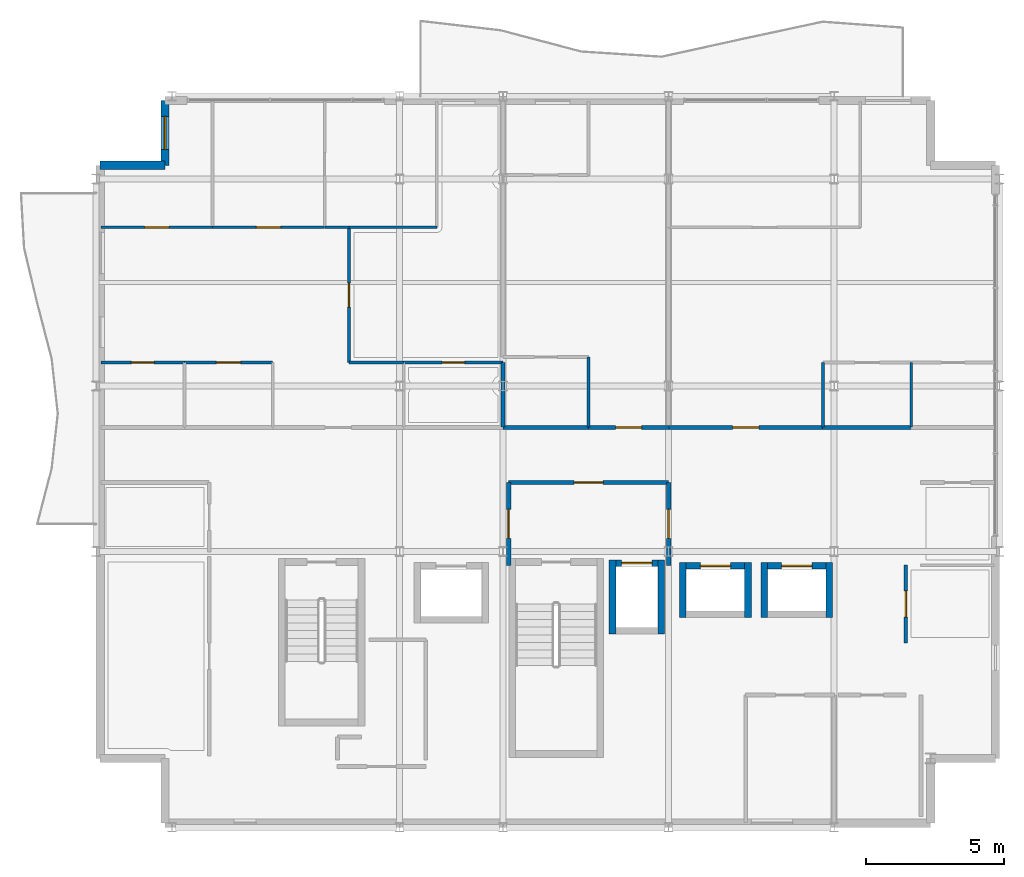
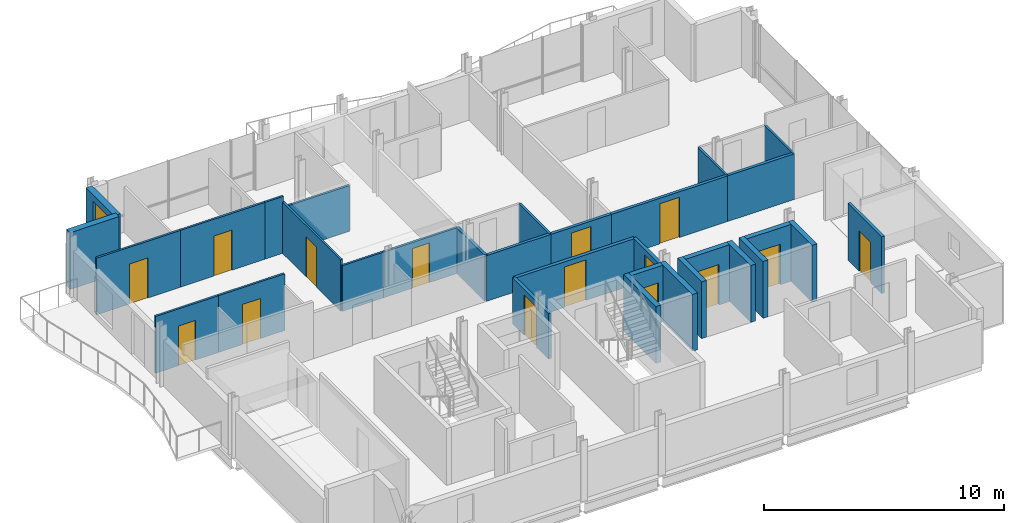
# One storey, part 9 of 12: 32 walls, 15 doors, 1 window, 16 openings.
"""IFC4 building model written with IfcOpenShell, lengths in metres."""

from ifc_helpers import new_model, si_unit, direction, frame, frame_2d, origin, place, context, subcontext, project, spatial, rectangle, extrude, material, layer, layer_set, type_object, element, fill, save


model = new_model("IFC4")

# Units and contexts
model_context = context("Model", 3, precision=1e-05, world=origin(), true_north=direction((0.0, 1.0)))
body_context = subcontext(model_context, "Body", "Model", "MODEL_VIEW")
ifc_project = project(units=[si_unit("LENGTHUNIT", "METRE"), si_unit("AREAUNIT", "SQUARE_METRE"), si_unit("VOLUMEUNIT", "CUBIC_METRE"), si_unit("PLANEANGLEUNIT", "RADIAN"), si_unit("MASSUNIT", "GRAM", prefix="KILO")], contexts=[model_context])

# Site, building, storey
site_placement = place(None, origin())
site = spatial("IfcSite", under=ifc_project, at=site_placement, CompositionType="ELEMENT")
building_placement = place(site_placement, origin())
building = spatial("IfcBuilding", under=site, at=building_placement, Name="Brevholm Reach", CompositionType="ELEMENT")
storey_placement = place(building_placement, frame((0.0, 0.0, 227.300048828125)))
storey = spatial("IfcBuildingStorey", under=building, at=storey_placement, Name="L69", CompositionType="ELEMENT", Elevation=227.300048828125)

# Walls
ifc_material_1 = material(Name="Concrete C45/55", Category="concrete")
ifc_layer_1 = layer(ifc_material_1, 0.239990234375)
ifc_layer_set_1 = layer_set([ifc_layer_1], Name="Concrete C45/55")
wall_type_1 = type_object("IfcWallType", Name="WAL-COR-240", PredefinedType="SHEAR", material=ifc_layer_set_1)
for number, where, z_axis, x_axis, name in (
    (1, (45.969970703125, 7.0, 0.0), (0.0, 0.0, 1.0), (0.0, 1.0, 0.0), "L69 Lift FFL-2 Shaft Wall W"),
    (2, (47.72998046875, 7.0, 0.0), (0.0, 0.0, 1.0), (0.0, 1.0, 0.0), "L69 Lift FFL-2 Shaft Wall E"),
):
    element("IfcWall", number, at=place(storey_placement, frame(where, z_axis=z_axis, x_axis=x_axis)), inside=storey, type_object=wall_type_1, Name=name, PredefinedType="SHEAR", context=body_context, shape_type="SweptSolid", body=[
        extrude(rectangle(XDim=2.699951171875, YDim=0.239990234375, at=frame_2d((1.35009765625, 0.0))), origin(), (0.0, 0.0, 1.0), 2.889892578125),
    ])

# Wall, opening, door
wall_1_placement = place(storey_placement, frame((46.090087890625, 9.580078125, 0.0), z_axis=(0.0, 0.0, 1.0), x_axis=(1.0, 0.0, 0.0)))
wall_1 = element("IfcWall", 3, at=wall_1_placement, inside=storey, type_object=wall_type_1, Name="L69 Lift FFL-2 Shaft Wall N", PredefinedType="SHEAR", context=body_context, shape_type="SweptSolid", body=[
    extrude(rectangle(XDim=1.52001953125, YDim=0.239990234375, at=frame_2d((0.760009765625, 0.0))), origin(), (0.0, 0.0, 1.0), 2.889892578125),
])
opening_1_placement = place(wall_1_placement, frame((0.2099609375, 0.0, 0.0)))
opening_1 = element("IfcOpeningElement", 4, at=opening_1_placement, cuts=wall_1, Name="Opening LD-FFL-2", PredefinedType="OPENING", context=body_context, shape_type="SweptSolid", body=[
    extrude(rectangle(XDim=1.10009765625, YDim=2.06005859375, at=frame_2d((0.550048828125, 1.030029296875))), frame((0.0, 0.1298828125, 0.0), z_axis=(0.0, -1.0, 0.0), x_axis=(1.0, 0.0, 0.0)), (0.0, 0.0, 1.0), 0.260009765625),
])
ifc_material_2 = material(Name="Brushed Stainless Steel Fire-Rated Sliding Lift Door", Category="steel")
door_type_1 = type_object("IfcDoorType", Name="DOR-LFT-1100", OperationType="NOTDEFINED", PredefinedType="DOOR", material=ifc_material_2)
door_1_placement = place(opening_1_placement, origin())
door_1 = element("IfcDoor", 5, at=door_1_placement, inside=storey, type_object=door_type_1, Name="L69 Lift FFL-2 Sliding Landing Door", OperationType="SLIDING_TO_RIGHT", OverallHeight=2.06005859375, OverallWidth=1.10009765625, PredefinedType="DOOR", context=body_context, shape_type="SweptSolid", body=[
    extrude(rectangle(XDim=1.10009765625, YDim=2.06005859375, at=frame_2d((0.550048828125, 1.030029296875))), frame((0.0, 0.02490234375, 0.0), z_axis=(0.0, -1.0, 0.0), x_axis=(1.0, 0.0, 0.0)), (0.0, 0.0, 1.0), 0.050048828125),
])
fill(opening_1, door_1)

# Walls
for number, where, z_axis, x_axis, name in (
    (6, (48.52001953125, 7.60009765625, 0.0), (0.0, 0.0, 1.0), (0.0, 1.0, 0.0), "L69 Lift PL-H1 Shaft Wall W"),
    (7, (50.8798828125, 7.60009765625, 0.0), (0.0, 0.0, 1.0), (0.0, 1.0, 0.0), "L69 Lift PL-H1 Shaft Wall E"),
):
    element("IfcWall", number, at=place(storey_placement, frame(where, z_axis=z_axis, x_axis=x_axis)), inside=storey, type_object=wall_type_1, Name=name, PredefinedType="SHEAR", context=body_context, shape_type="SweptSolid", body=[
        extrude(rectangle(XDim=2.0, YDim=0.239990234375, at=frame_2d((1.0, 0.0))), origin(), (0.0, 0.0, 1.0), 2.889892578125),
    ])

# Wall, opening, door
wall_2_placement = place(storey_placement, frame((48.639892578125, 9.47998046875, 0.0), z_axis=(0.0, 0.0, 1.0), x_axis=(1.0, 0.0, 0.0)))
wall_2 = element("IfcWall", 8, at=wall_2_placement, inside=storey, type_object=wall_type_1, Name="L69 Lift PL-H1 Shaft Wall N", PredefinedType="SHEAR", context=body_context, shape_type="SweptSolid", body=[
    extrude(rectangle(XDim=2.1201171875, YDim=0.239990234375, at=frame_2d((1.06005859375, 0.0))), origin(), (0.0, 0.0, 1.0), 2.889892578125),
])
opening_2_placement = place(wall_2_placement, frame((0.510009765625, 0.0, 0.0)))
opening_2 = element("IfcOpeningElement", 9, at=opening_2_placement, cuts=wall_2, Name="Opening LD-PL-H1", PredefinedType="OPENING", context=body_context, shape_type="SweptSolid", body=[
    extrude(rectangle(XDim=1.10009765625, YDim=2.06005859375, at=frame_2d((0.550048828125, 1.030029296875))), frame((0.0, 0.1298828125, 0.0), z_axis=(0.0, -1.0, 0.0), x_axis=(1.0, 0.0, 0.0)), (0.0, 0.0, 1.0), 0.260009765625),
])
door_2_placement = place(opening_2_placement, origin())
door_2 = element("IfcDoor", 10, at=door_2_placement, inside=storey, type_object=door_type_1, Name="L69 Lift PL-H1 Sliding Landing Door", OperationType="SLIDING_TO_RIGHT", OverallHeight=2.06005859375, OverallWidth=1.10009765625, PredefinedType="DOOR", context=body_context, shape_type="SweptSolid", body=[
    extrude(rectangle(XDim=1.10009765625, YDim=2.06005859375, at=frame_2d((0.550048828125, 1.030029296875))), frame((0.0, 0.02490234375, 0.0), z_axis=(0.0, -1.0, 0.0), x_axis=(1.0, 0.0, 0.0)), (0.0, 0.0, 1.0), 0.050048828125),
])
fill(opening_2, door_2)

# Walls
for number, where, z_axis, x_axis, name in (
    (11, (51.469970703125, 7.60009765625, 0.0), (0.0, 0.0, 1.0), (0.0, 1.0, 0.0), "L69 Lift PL-H2 Shaft Wall W"),
    (12, (53.830078125, 7.60009765625, 0.0), (0.0, 0.0, 1.0), (0.0, 1.0, 0.0), "L69 Lift PL-H2 Shaft Wall E"),
):
    element("IfcWall", number, at=place(storey_placement, frame(where, z_axis=z_axis, x_axis=x_axis)), inside=storey, type_object=wall_type_1, Name=name, PredefinedType="SHEAR", context=body_context, shape_type="SweptSolid", body=[
        extrude(rectangle(XDim=2.0, YDim=0.239990234375, at=frame_2d((1.0, 0.0))), origin(), (0.0, 0.0, 1.0), 2.889892578125),
    ])

# Wall, opening, door
wall_3_placement = place(storey_placement, frame((51.590087890625, 9.47998046875, 0.0), z_axis=(0.0, 0.0, 1.0), x_axis=(1.0, 0.0, 0.0)))
wall_3 = element("IfcWall", 13, at=wall_3_placement, inside=storey, type_object=wall_type_1, Name="L69 Lift PL-H2 Shaft Wall N", PredefinedType="SHEAR", context=body_context, shape_type="SweptSolid", body=[
    extrude(rectangle(XDim=2.119873046875, YDim=0.239990234375, at=frame_2d((1.06005859375, 0.0))), origin(), (0.0, 0.0, 1.0), 2.889892578125),
])
opening_3_placement = place(wall_3_placement, frame((0.510009765625, 0.0, 0.0)))
opening_3 = element("IfcOpeningElement", 14, at=opening_3_placement, cuts=wall_3, Name="Opening LD-PL-H2", PredefinedType="OPENING", context=body_context, shape_type="SweptSolid", body=[
    extrude(rectangle(XDim=1.10009765625, YDim=2.06005859375, at=frame_2d((0.550048828125, 1.030029296875))), frame((0.0, 0.1298828125, 0.0), z_axis=(0.0, -1.0, 0.0), x_axis=(1.0, 0.0, 0.0)), (0.0, 0.0, 1.0), 0.260009765625),
])
door_3_placement = place(opening_3_placement, origin())
door_3 = element("IfcDoor", 15, at=door_3_placement, inside=storey, type_object=door_type_1, Name="L69 Lift PL-H2 Sliding Landing Door", OperationType="SLIDING_TO_LEFT", OverallHeight=2.06005859375, OverallWidth=1.10009765625, PredefinedType="DOOR", context=body_context, shape_type="SweptSolid", body=[
    extrude(rectangle(XDim=1.10009765625, YDim=2.06005859375, at=frame_2d((0.550048828125, 1.030029296875))), frame((0.0, 0.02490234375, 0.0), z_axis=(0.0, -1.0, 0.0), x_axis=(1.0, 0.0, 0.0)), (0.0, 0.0, 1.0), 0.050048828125),
])
fill(opening_3, door_3)

# Wall, opening, window
ifc_material_3 = material(Name="Concrete C40/50", Category="concrete")
ifc_layer_2 = layer(ifc_material_3, 0.300048828125)
ifc_layer_set_2 = layer_set([ifc_layer_2], Name="Concrete C40/50")
wall_type_2 = type_object("IfcWallType", Name="WAL-EXT-300", PredefinedType="STANDARD", material=ifc_layer_set_2)
wall_4_placement = place(storey_placement, frame((29.75, 26.35009765625, 0.0), z_axis=(0.0, 0.0, 1.0), x_axis=(0.0, -1.0, 0.0)))
wall_4 = element("IfcWall", 16, at=wall_4_placement, inside=storey, type_object=wall_type_2, Name="L69 Facade Wall WAL-L69-CNW1", PredefinedType="STANDARD", context=body_context, shape_type="SweptSolid", body=[
    extrude(rectangle(XDim=2.35009765625, YDim=0.300048828125, at=frame_2d((1.175048828125, 0.0))), origin(), (0.0, 0.0, 1.0), 2.889892578125),
])
opening_4_placement = place(wall_4_placement, frame((0.574951171875, 0.0, 0.949951171875)))
opening_4 = element("IfcOpeningElement", 17, at=opening_4_placement, cuts=wall_4, Name="Opening WN-08", PredefinedType="OPENING", context=body_context, shape_type="SweptSolid", body=[
    extrude(rectangle(XDim=1.199951171875, YDim=1.60009765625, at=frame_2d((0.60009765625, 0.800048828125))), frame((0.0, 0.159912109375, 0.0), z_axis=(0.0, -1.0, 0.0), x_axis=(1.0, 0.0, 0.0)), (0.0, 0.0, 1.0), 0.320068359375),
])
ifc_material_4 = material(Name="Dark Anodised Aluminium and Solar-Control IGU Glass", Category="aluminium")
window_type = type_object("IfcWindowType", Name="WIN-RES-1200", PartitioningType="SINGLE_PANEL", PredefinedType="WINDOW", material=ifc_material_4)
window_placement = place(opening_4_placement, origin())
window = element("IfcWindow", 18, at=window_placement, inside=storey, type_object=window_type, Name="L69 Bedroom Window 077", OverallHeight=1.60009765625, OverallWidth=1.199951171875, PartitioningType="SINGLE_PANEL", PredefinedType="WINDOW", context=body_context, shape_type="SweptSolid", body=[
    extrude(rectangle(XDim=1.199951171875, YDim=1.60009765625, at=frame_2d((0.60009765625, 0.800048828125))), frame((0.0, 0.030029296875, 0.0), z_axis=(0.0, -1.0, 0.0), x_axis=(1.0, 0.0, 0.0)), (0.0, 0.0, 1.0), 0.06005859375),
])
fill(opening_4, window)

# Wall
wall_5_placement = place(storey_placement, frame((29.75, 24.0, 0.0), z_axis=(0.0, 0.0, 1.0), x_axis=(-1.0, 0.0, 0.0)))
element("IfcWall", 19, at=wall_5_placement, inside=storey, type_object=wall_type_2, Name="L69 Facade Wall WAL-L69-CNW2", PredefinedType="STANDARD", context=body_context, shape_type="SweptSolid", body=[
    extrude(rectangle(XDim=2.35009765625, YDim=0.300048828125, at=frame_2d((1.175048828125, 0.0))), origin(), (0.0, 0.0, 1.0), 2.889892578125),
])

# Wall, opening, door
ifc_material_5 = material(Name="Moisture-Resistant Acoustic Gypsum Stud Partition 100 mm", Category="gypsum")
ifc_layer_3 = layer(ifc_material_5, 0.10009765625)
ifc_layer_set_3 = layer_set([ifc_layer_3], Name="Moisture-Resistant Acoustic Gypsum Stud Partition 100 mm")
wall_type_3 = type_object("IfcWallType", Name="WAL-PRT-100", PredefinedType="PARTITIONING", material=ifc_layer_set_3)
wall_6_placement = place(storey_placement, frame((27.429931640625, 16.85009765625, 0.0), z_axis=(0.0, 0.0, 1.0), x_axis=(1.0, 0.0, 0.0)))
wall_6 = element("IfcWall", 20, at=wall_6_placement, inside=storey, type_object=wall_type_3, Name="L69 Internal Partition 025", PredefinedType="PARTITIONING", context=body_context, shape_type="SweptSolid", body=[
    extrude(rectangle(XDim=3.02001953125, YDim=0.10009765625, at=frame_2d((1.510009765625, 0.0))), origin(), (0.0, 0.0, 1.0), 2.889892578125),
])
opening_5_placement = place(wall_6_placement, frame((1.10009765625, 0.0, 0.0)))
opening_5 = element("IfcOpeningElement", 21, at=opening_5_placement, cuts=wall_6, Name="Opening ID-03", PredefinedType="OPENING", context=body_context, shape_type="SweptSolid", body=[
    extrude(rectangle(XDim=0.820068359375, YDim=2.02001953125, at=frame_2d((0.41015625, 1.010009765625))), frame((0.0, 0.06005859375, 0.0), z_axis=(0.0, -1.0, 0.0), x_axis=(1.0, 0.0, 0.0)), (0.0, 0.0, 1.0), 0.1201171875),
])
ifc_material_6 = material(Name="Moisture-Resistant Painted Timber Internal Bathroom Door", Category="wood")
door_type_2 = type_object("IfcDoorType", Name="DOR-BATH-820", OperationType="NOTDEFINED", PredefinedType="DOOR", material=ifc_material_6)
door_4_placement = place(opening_5_placement, origin())
door_4 = element("IfcDoor", 22, at=door_4_placement, inside=storey, type_object=door_type_2, Name="L69 Internal Door 014", OperationType="SINGLE_SWING_LEFT", OverallHeight=2.02001953125, OverallWidth=0.820068359375, PredefinedType="DOOR", context=body_context, shape_type="SweptSolid", body=[
    extrude(rectangle(XDim=0.820068359375, YDim=2.02001953125, at=frame_2d((0.41015625, 1.010009765625))), frame((0.0, 0.02490234375, 0.0), z_axis=(0.0, -1.0, 0.0), x_axis=(1.0, 0.0, 0.0)), (0.0, 0.0, 1.0), 0.050048828125),
])
fill(opening_5, door_4)

wall_7_placement = place(storey_placement, frame((30.4541015625, 16.85009765625, 0.0), z_axis=(0.0, 0.0, 1.0), x_axis=(1.0, 0.0, 0.0)))
wall_7 = element("IfcWall", 23, at=wall_7_placement, inside=storey, type_object=wall_type_3, Name="L69 Internal Partition 027", PredefinedType="PARTITIONING", context=body_context, shape_type="SweptSolid", body=[
    extrude(rectangle(XDim=3.19580078125, YDim=0.10009765625, at=frame_2d((1.597900390625, 0.0))), origin(), (0.0, 0.0, 1.0), 2.889892578125),
])
opening_6_placement = place(wall_7_placement, frame((1.157958984375, 0.0, 0.0)))
opening_6 = element("IfcOpeningElement", 24, at=opening_6_placement, cuts=wall_7, Name="Opening ID-01", PredefinedType="OPENING", context=body_context, shape_type="SweptSolid", body=[
    extrude(rectangle(XDim=0.8798828125, YDim=2.0400390625, at=frame_2d((0.43994140625, 1.02001953125))), frame((0.0, 0.06005859375, 0.0), z_axis=(0.0, -1.0, 0.0), x_axis=(1.0, 0.0, 0.0)), (0.0, 0.0, 1.0), 0.1201171875),
])
ifc_material_7 = material(Name="Lacquered Ash Solid-Core Acoustic Internal Door", Category="timber")
door_type_3 = type_object("IfcDoorType", Name="DOR-INT-880", OperationType="NOTDEFINED", PredefinedType="DOOR", material=ifc_material_7)
door_5_placement = place(opening_6_placement, origin())
door_5 = element("IfcDoor", 25, at=door_5_placement, inside=storey, type_object=door_type_3, Name="L69 Internal Door 015", OperationType="SINGLE_SWING_RIGHT", OverallHeight=2.0400390625, OverallWidth=0.8798828125, PredefinedType="DOOR", context=body_context, shape_type="SweptSolid", body=[
    extrude(rectangle(XDim=0.8798828125, YDim=2.0400390625, at=frame_2d((0.43994140625, 1.02001953125))), frame((0.0, 0.02490234375, 0.0), z_axis=(0.0, -1.0, 0.0), x_axis=(1.0, 0.0, 0.0)), (0.0, 0.0, 1.0), 0.050048828125),
])
fill(opening_6, door_5)

wall_8_placement = place(storey_placement, frame((38.39990234375, 16.85009765625, 0.0), z_axis=(0.0, 0.0, 1.0), x_axis=(1.0, 0.0, 0.0)))
wall_8 = element("IfcWall", 26, at=wall_8_placement, inside=storey, type_object=wall_type_3, Name="L69 Internal Partition 028", PredefinedType="PARTITIONING", context=body_context, shape_type="SweptSolid", body=[
    extrude(rectangle(XDim=3.60009765625, YDim=0.10009765625, at=frame_2d((1.800048828125, 0.0))), origin(), (0.0, 0.0, 1.0), 2.325439453125),
])
opening_7_placement = place(wall_8_placement, frame((1.389892578125, 0.0, 0.0)))
opening_7 = element("IfcOpeningElement", 27, at=opening_7_placement, cuts=wall_8, Name="Opening ID-03", PredefinedType="OPENING", context=body_context, shape_type="SweptSolid", body=[
    extrude(rectangle(XDim=0.820068359375, YDim=2.02001953125, at=frame_2d((0.41015625, 1.010009765625))), frame((0.0, 0.06005859375, 0.0), z_axis=(0.0, -1.0, 0.0), x_axis=(1.0, 0.0, 0.0)), (0.0, 0.0, 1.0), 0.1201171875),
])
door_6_placement = place(opening_7_placement, origin())
door_6 = element("IfcDoor", 28, at=door_6_placement, inside=storey, type_object=door_type_2, Name="L69 Access Door 024", OperationType="SINGLE_SWING_LEFT", OverallHeight=2.02001953125, OverallWidth=0.820068359375, PredefinedType="DOOR", context=body_context, shape_type="SweptSolid", body=[
    extrude(rectangle(XDim=0.820068359375, YDim=2.02001953125, at=frame_2d((0.41015625, 1.010009765625))), frame((0.0, 0.02490234375, 0.0), z_axis=(0.0, -1.0, 0.0), x_axis=(1.0, 0.0, 0.0)), (0.0, 0.0, 1.0), 0.050048828125),
])
fill(opening_7, door_6)

wall_9_placement = place(storey_placement, frame((27.429931640625, 21.75, 0.0), z_axis=(0.0, 0.0, 1.0), x_axis=(1.0, 0.0, 0.0)))
wall_9 = element("IfcWall", 29, at=wall_9_placement, inside=storey, type_object=wall_type_3, Name="L69 Internal Partition 032", PredefinedType="PARTITIONING", context=body_context, shape_type="SweptSolid", body=[
    extrude(rectangle(XDim=4.037109375, YDim=0.10009765625, at=frame_2d((2.0185546875, 0.0))), origin(), (0.0, 0.0, 1.0), 2.889892578125),
])
opening_8_placement = place(wall_9_placement, frame((1.57861328125, 0.0, 0.0)))
opening_8 = element("IfcOpeningElement", 30, at=opening_8_placement, cuts=wall_9, Name="Opening ID-01", PredefinedType="OPENING", context=body_context, shape_type="SweptSolid", body=[
    extrude(rectangle(XDim=0.8798828125, YDim=2.0400390625, at=frame_2d((0.43994140625, 1.02001953125))), frame((0.0, 0.06005859375, 0.0), z_axis=(0.0, -1.0, 0.0), x_axis=(1.0, 0.0, 0.0)), (0.0, 0.0, 1.0), 0.1201171875),
])
door_7_placement = place(opening_8_placement, origin())
door_7 = element("IfcDoor", 31, at=door_7_placement, inside=storey, type_object=door_type_3, Name="L69 Internal Door 016", OperationType="SINGLE_SWING_LEFT", OverallHeight=2.0400390625, OverallWidth=0.8798828125, PredefinedType="DOOR", context=body_context, shape_type="SweptSolid", body=[
    extrude(rectangle(XDim=0.8798828125, YDim=2.0400390625, at=frame_2d((0.43994140625, 1.02001953125))), frame((0.0, 0.02490234375, 0.0), z_axis=(0.0, -1.0, 0.0), x_axis=(1.0, 0.0, 0.0)), (0.0, 0.0, 1.0), 0.050048828125),
])
fill(opening_8, door_7)

wall_10_placement = place(storey_placement, frame((31.470947265625, 21.75, 0.0), z_axis=(0.0, 0.0, 1.0), x_axis=(1.0, 0.0, 0.0)))
wall_10 = element("IfcWall", 32, at=wall_10_placement, inside=storey, type_object=wall_type_3, Name="L69 Internal Partition 034", PredefinedType="PARTITIONING", context=body_context, shape_type="SweptSolid", body=[
    extrude(rectangle(XDim=4.06298828125, YDim=0.10009765625, at=frame_2d((2.031494140625, 0.0))), origin(), (0.0, 0.0, 1.0), 2.889892578125),
])
opening_9_placement = place(wall_10_placement, frame((1.591552734375, 0.0, 0.0)))
opening_9 = element("IfcOpeningElement", 33, at=opening_9_placement, cuts=wall_10, Name="Opening ID-01", PredefinedType="OPENING", context=body_context, shape_type="SweptSolid", body=[
    extrude(rectangle(XDim=0.8798828125, YDim=2.0400390625, at=frame_2d((0.43994140625, 1.02001953125))), frame((0.0, 0.06005859375, 0.0), z_axis=(0.0, -1.0, 0.0), x_axis=(1.0, 0.0, 0.0)), (0.0, 0.0, 1.0), 0.1201171875),
])
door_8_placement = place(opening_9_placement, origin())
door_8 = element("IfcDoor", 34, at=door_8_placement, inside=storey, type_object=door_type_3, Name="L69 Internal Door 017", OperationType="SINGLE_SWING_RIGHT", OverallHeight=2.0400390625, OverallWidth=0.8798828125, PredefinedType="DOOR", context=body_context, shape_type="SweptSolid", body=[
    extrude(rectangle(XDim=0.8798828125, YDim=2.0400390625, at=frame_2d((0.43994140625, 1.02001953125))), frame((0.0, 0.02490234375, 0.0), z_axis=(0.0, -1.0, 0.0), x_axis=(1.0, 0.0, 0.0)), (0.0, 0.0, 1.0), 0.050048828125),
])
fill(opening_9, door_8)

# Walls
wall_11_placement = place(storey_placement, frame((36.40673828125, 21.75, 0.0), z_axis=(0.0, 0.0, 1.0), x_axis=(1.0, 0.0, 0.0)))
element("IfcWall", 35, at=wall_11_placement, inside=storey, type_object=wall_type_3, Name="L69 Internal Partition 036", PredefinedType="PARTITIONING", context=body_context, shape_type="SweptSolid", body=[
    extrude(rectangle(XDim=3.1943359375, YDim=0.10009765625, at=frame_2d((1.59716796875, 0.0))), origin(), (0.0, 0.0, 1.0), 2.325439453125),
])
wall_12_placement = place(storey_placement, frame((35.5380859375, 21.75, 0.0), z_axis=(0.0, 0.0, 1.0), x_axis=(1.0, 0.0, 0.0)))
element("IfcWall", 36, at=wall_12_placement, inside=storey, type_object=wall_type_3, Name="L69 Internal Partition 037", PredefinedType="PARTITIONING", context=body_context, shape_type="SweptSolid", body=[
    extrude(rectangle(XDim=0.88720703125, YDim=0.10009765625, at=frame_2d((0.443603515625, 0.0))), origin(), (0.0, 0.0, 1.0), 2.889892578125),
])

# Wall, opening, door
wall_13_placement = place(storey_placement, frame((36.41796875, 16.85009765625, 0.0), z_axis=(0.0, 0.0, 1.0), x_axis=(0.0, 1.0, 0.0)))
wall_13 = element("IfcWall", 37, at=wall_13_placement, inside=storey, type_object=wall_type_3, Name="L69 Internal Partition 038", PredefinedType="PARTITIONING", context=body_context, shape_type="SweptSolid", body=[
    extrude(rectangle(XDim=4.89599609375, YDim=0.10009765625, at=frame_2d((2.447998046875, 0.0))), origin(), (0.0, 0.0, 1.0), 2.613525390625),
])
opening_10_placement = place(wall_13_placement, frame((2.008056640625, 0.0, 0.0)))
opening_10 = element("IfcOpeningElement", 38, at=opening_10_placement, cuts=wall_13, Name="Opening ID-01", PredefinedType="OPENING", context=body_context, shape_type="SweptSolid", body=[
    extrude(rectangle(XDim=0.8798828125, YDim=2.0400390625, at=frame_2d((0.43994140625, 1.02001953125))), frame((0.0, 0.06005859375, 0.0), z_axis=(0.0, -1.0, 0.0), x_axis=(1.0, 0.0, 0.0)), (0.0, 0.0, 1.0), 0.1201171875),
])
door_9_placement = place(opening_10_placement, origin())
door_9 = element("IfcDoor", 39, at=door_9_placement, inside=storey, type_object=door_type_3, Name="L69 Internal Door 018", OperationType="SINGLE_SWING_LEFT", OverallHeight=2.0400390625, OverallWidth=0.8798828125, PredefinedType="DOOR", context=body_context, shape_type="SweptSolid", body=[
    extrude(rectangle(XDim=0.8798828125, YDim=2.0400390625, at=frame_2d((0.43994140625, 1.02001953125))), frame((0.0, 0.02490234375, 0.0), z_axis=(0.0, -1.0, 0.0), x_axis=(1.0, 0.0, 0.0)), (0.0, 0.0, 1.0), 0.050048828125),
])
fill(opening_10, door_9)

# Walls
wall_14_placement = place(storey_placement, frame((36.41796875, 16.85009765625, 0.0), z_axis=(0.0, 0.0, 1.0), x_axis=(1.0, 0.0, 0.0)))
element("IfcWall", 40, at=wall_14_placement, inside=storey, type_object=wall_type_3, Name="L69 Internal Partition 039", PredefinedType="PARTITIONING", context=body_context, shape_type="SweptSolid", body=[
    extrude(rectangle(XDim=1.97802734375, YDim=0.10009765625, at=frame_2d((0.989013671875, 0.0))), origin(), (0.0, 0.0, 1.0), 2.325439453125),
])
wall_15_placement = place(storey_placement, frame((45.10009765625, 14.50390625, 0.0), z_axis=(0.0, 0.0, 1.0), x_axis=(0.0, 1.0, 0.0)))
element("IfcWall", 41, at=wall_15_placement, inside=storey, type_object=wall_type_3, Name="L69 Internal Partition 042", PredefinedType="PARTITIONING", context=body_context, shape_type="SweptSolid", body=[
    extrude(rectangle(XDim=2.546142578125, YDim=0.10009765625, at=frame_2d((1.27294921875, 0.0))), origin(), (0.0, 0.0, 1.0), 2.325439453125),
])
for number, where, z_axis, x_axis, name in (
    (42, (56.800048828125, 14.50390625, 0.0), (0.0, 0.0, 1.0), (0.0, 1.0, 0.0), "L69 Internal Partition 048"),
    (43, (53.60009765625, 14.50390625, 0.0), (0.0, 0.0, 1.0), (0.0, 1.0, 0.0), "L69 Internal Partition 051"),
):
    element("IfcWall", number, at=place(storey_placement, frame(where, z_axis=z_axis, x_axis=x_axis)), inside=storey, type_object=wall_type_3, Name=name, PredefinedType="PARTITIONING", context=body_context, shape_type="SweptSolid", body=[
        extrude(rectangle(XDim=2.34619140625, YDim=0.10009765625, at=frame_2d((1.173095703125, 0.0))), origin(), (0.0, 0.0, 1.0), 2.325439453125),
    ])

# Wall, opening, door
ifc_material_8 = material(Name="Twin-Stud Acoustic Fire-Rated Gypsum Partition 140 mm", Category="gypsum")
ifc_layer_4 = layer(ifc_material_8, 0.139892578125)
ifc_layer_set_4 = layer_set([ifc_layer_4], Name="Twin-Stud Acoustic Fire-Rated Gypsum Partition 140 mm")
wall_type_4 = type_object("IfcWallType", Name="WAL-PRT-140", PredefinedType="PARTITIONING", material=ifc_layer_set_4)
wall_16_placement = place(storey_placement, frame((56.60009765625, 6.688720703125, 0.0), z_axis=(0.0, 0.0, 1.0), x_axis=(0.0, 1.0, 0.0)))
wall_16 = element("IfcWall", 44, at=wall_16_placement, inside=storey, type_object=wall_type_4, Name="L69 Internal Partition 006", PredefinedType="PARTITIONING", context=body_context, shape_type="SweptSolid", body=[
    extrude(rectangle(XDim=2.822509765625, YDim=0.139892578125, at=frame_2d((1.4111328125, 0.0))), origin(), (0.0, 0.0, 1.0), 2.889892578125),
])
opening_11_placement = place(wall_16_placement, frame((0.936279296875, 0.0, 0.0)))
opening_11 = element("IfcOpeningElement", 45, at=opening_11_placement, cuts=wall_16, Name="Opening ID-30", PredefinedType="OPENING", context=body_context, shape_type="SweptSolid", body=[
    extrude(rectangle(XDim=0.949951171875, YDim=2.050048828125, at=frame_2d((0.47509765625, 1.02490234375))), frame((0.0, 0.079833984375, 0.0), z_axis=(0.0, -1.0, 0.0), x_axis=(1.0, 0.0, 0.0)), (0.0, 0.0, 1.0), 0.159912109375),
])
ifc_material_9 = material(Name="European Oak Veneered Solid-Core Fire Entrance Door", Category="timber")
door_type_4 = type_object("IfcDoorType", Name="DOR-FLT-FD30S", OperationType="NOTDEFINED", PredefinedType="DOOR", material=ifc_material_9)
door_10_placement = place(opening_11_placement, origin())
door_10 = element("IfcDoor", 46, at=door_10_placement, inside=storey, type_object=door_type_4, Name="L69 Internal Door 006", OperationType="SINGLE_SWING_LEFT", OverallHeight=2.050048828125, OverallWidth=0.949951171875, PredefinedType="DOOR", context=body_context, shape_type="SweptSolid", body=[
    extrude(rectangle(XDim=0.949951171875, YDim=2.050048828125, at=frame_2d((0.47509765625, 1.02490234375))), frame((0.0, 0.02490234375, 0.0), z_axis=(0.0, -1.0, 0.0), x_axis=(1.0, 0.0, 0.0)), (0.0, 0.0, 1.0), 0.050048828125),
])
fill(opening_11, door_10)

# Wall
wall_17_placement = place(storey_placement, frame((41.99267578125, 14.5, 0.0), z_axis=(0.0, 0.0, 1.0), x_axis=(1.0, 0.0, 0.0)))
element("IfcWall", 47, at=wall_17_placement, inside=storey, type_object=wall_type_4, Name="L69 Internal Partition 019", PredefinedType="PARTITIONING", context=body_context, shape_type="SweptSolid", body=[
    extrude(rectangle(XDim=3.11865234375, YDim=0.139892578125, at=frame_2d((1.559326171875, 0.0))), origin(), (0.0, 0.0, 1.0), 2.325439453125),
])

# Wall, opening, door
wall_18_placement = place(storey_placement, frame((45.0927734375, 14.5, 0.0), z_axis=(0.0, 0.0, 1.0), x_axis=(1.0, 0.0, 0.0)))
wall_18 = element("IfcWall", 48, at=wall_18_placement, inside=storey, type_object=wall_type_4, Name="L69 Internal Partition 020", PredefinedType="PARTITIONING", context=body_context, shape_type="SweptSolid", body=[
    extrude(rectangle(XDim=2.91845703125, YDim=0.139892578125, at=frame_2d((1.459228515625, 0.0))), origin(), (0.0, 0.0, 1.0), 2.325439453125),
])
opening_12_placement = place(wall_18_placement, frame((0.984375, 0.0, 0.0)))
opening_12 = element("IfcOpeningElement", 49, at=opening_12_placement, cuts=wall_18, Name="Opening ID-30", PredefinedType="OPENING", context=body_context, shape_type="SweptSolid", body=[
    extrude(rectangle(XDim=0.949951171875, YDim=2.050048828125, at=frame_2d((0.47509765625, 1.02490234375))), frame((0.0, 0.079833984375, 0.0), z_axis=(0.0, -1.0, 0.0), x_axis=(1.0, 0.0, 0.0)), (0.0, 0.0, 1.0), 0.159912109375),
])
door_11_placement = place(opening_12_placement, origin())
door_11 = element("IfcDoor", 50, at=door_11_placement, inside=storey, type_object=door_type_4, Name="L69 Internal Door 012", OperationType="SINGLE_SWING_LEFT", OverallHeight=2.050048828125, OverallWidth=0.949951171875, PredefinedType="DOOR", context=body_context, shape_type="SweptSolid", body=[
    extrude(rectangle(XDim=0.949951171875, YDim=2.050048828125, at=frame_2d((0.47509765625, 1.02490234375))), frame((0.0, 0.02490234375, 0.0), z_axis=(0.0, -1.0, 0.0), x_axis=(1.0, 0.0, 0.0)), (0.0, 0.0, 1.0), 0.050048828125),
])
fill(opening_12, door_11)

# Wall
wall_19_placement = place(storey_placement, frame((53.588623046875, 14.5, 0.0), z_axis=(0.0, 0.0, 1.0), x_axis=(1.0, 0.0, 0.0)))
element("IfcWall", 51, at=wall_19_placement, inside=storey, type_object=wall_type_4, Name="L69 Internal Partition 022", PredefinedType="PARTITIONING", context=body_context, shape_type="SweptSolid", body=[
    extrude(rectangle(XDim=3.21875, YDim=0.139892578125, at=frame_2d((1.609375, 0.0))), origin(), (0.0, 0.0, 1.0), 2.325439453125),
])

# Wall, opening, door
wall_20_placement = place(storey_placement, frame((47.99267578125, 14.5, 0.0), z_axis=(0.0, 0.0, 1.0), x_axis=(1.0, 0.0, 0.0)))
wall_20 = element("IfcWall", 52, at=wall_20_placement, inside=storey, type_object=wall_type_4, Name="L69 Internal Partition 023", PredefinedType="PARTITIONING", context=body_context, shape_type="SweptSolid", body=[
    extrude(rectangle(XDim=5.61474609375, YDim=0.139892578125, at=frame_2d((2.807373046875, 0.0))), origin(), (0.0, 0.0, 1.0), 2.325439453125),
])
opening_13_placement = place(wall_20_placement, frame((2.332275390625, 0.0, 0.0)))
opening_13 = element("IfcOpeningElement", 53, at=opening_13_placement, cuts=wall_20, Name="Opening ID-30", PredefinedType="OPENING", context=body_context, shape_type="SweptSolid", body=[
    extrude(rectangle(XDim=0.949951171875, YDim=2.050048828125, at=frame_2d((0.47509765625, 1.02490234375))), frame((0.0, 0.079833984375, 0.0), z_axis=(0.0, -1.0, 0.0), x_axis=(1.0, 0.0, 0.0)), (0.0, 0.0, 1.0), 0.159912109375),
])
door_12_placement = place(opening_13_placement, origin())
door_12 = element("IfcDoor", 54, at=door_12_placement, inside=storey, type_object=door_type_4, Name="L69 Internal Door 013", OperationType="SINGLE_SWING_RIGHT", OverallHeight=2.050048828125, OverallWidth=0.949951171875, PredefinedType="DOOR", context=body_context, shape_type="SweptSolid", body=[
    extrude(rectangle(XDim=0.949951171875, YDim=2.050048828125, at=frame_2d((0.47509765625, 1.02490234375))), frame((0.0, 0.02490234375, 0.0), z_axis=(0.0, -1.0, 0.0), x_axis=(1.0, 0.0, 0.0)), (0.0, 0.0, 1.0), 0.050048828125),
])
fill(opening_13, door_12)

# Wall
wall_21_placement = place(storey_placement, frame((42.0, 14.50390625, 0.0), z_axis=(0.0, 0.0, 1.0), x_axis=(0.0, 1.0, 0.0)))
element("IfcWall", 55, at=wall_21_placement, inside=storey, type_object=wall_type_4, Name="L69 Internal Partition 030", PredefinedType="PARTITIONING", context=body_context, shape_type="SweptSolid", body=[
    extrude(rectangle(XDim=2.34619140625, YDim=0.139892578125, at=frame_2d((1.173095703125, 0.0))), origin(), (0.0, 0.0, 1.0), 2.325439453125),
])

# Wall, opening, door
ifc_material_10 = material(Name="Twin-Frame Fire-Rated Gypsum Board and Mineral Wool 160 mm", Category="gypsum")
ifc_layer_5 = layer(ifc_material_10, 0.159912109375)
ifc_layer_set_5 = layer_set([ifc_layer_5], Name="Twin-Frame Fire-Rated Gypsum Board and Mineral Wool 160 mm")
wall_type_5 = type_object("IfcWallType", Name="WAL-PRT-160", PredefinedType="PARTITIONING", material=ifc_layer_set_5)
wall_22_placement = place(storey_placement, frame((42.199951171875, 9.5, 0.0), z_axis=(0.0, 0.0, 1.0), x_axis=(0.0, 1.0, 0.0)))
wall_22 = element("IfcWall", 56, at=wall_22_placement, inside=storey, type_object=wall_type_5, Name="L69 Internal Partition 009", PredefinedType="PARTITIONING", context=body_context, shape_type="SweptSolid", body=[
    extrude(rectangle(XDim=3.0, YDim=0.159912109375, at=frame_2d((1.5, 0.0))), origin(), (0.0, 0.0, 1.0), 2.325439453125),
])
opening_14_placement = place(wall_22_placement, frame((0.97509765625, 0.0, 0.0)))
opening_14 = element("IfcOpeningElement", 57, at=opening_14_placement, cuts=wall_22, Name="Opening FD-01", PredefinedType="OPENING", context=body_context, shape_type="SweptSolid", body=[
    extrude(rectangle(XDim=1.050048828125, YDim=2.06005859375, at=frame_2d((0.52490234375, 1.030029296875))), frame((0.0, 0.08984375, 0.0), z_axis=(0.0, -1.0, 0.0), x_axis=(1.0, 0.0, 0.0)), (0.0, 0.0, 1.0), 0.179931640625),
])
ifc_material_11 = material(Name="Hardwood-Lipped Steel-Core Fire and Smoke Door", Category="steel")
door_type_5 = type_object("IfcDoorType", Name="DOR-INT-FD60S", OperationType="NOTDEFINED", PredefinedType="DOOR", material=ifc_material_11)
door_13_placement = place(opening_14_placement, origin())
door_13 = element("IfcDoor", 58, at=door_13_placement, inside=storey, type_object=door_type_5, Name="L69 Internal Door 007", OperationType="SINGLE_SWING_RIGHT", OverallHeight=2.06005859375, OverallWidth=1.050048828125, PredefinedType="DOOR", context=body_context, shape_type="SweptSolid", body=[
    extrude(rectangle(XDim=1.050048828125, YDim=2.06005859375, at=frame_2d((0.52490234375, 1.030029296875))), frame((0.0, 0.02490234375, 0.0), z_axis=(0.0, -1.0, 0.0), x_axis=(1.0, 0.0, 0.0)), (0.0, 0.0, 1.0), 0.050048828125),
])
fill(opening_14, door_13)

wall_23_placement = place(storey_placement, frame((48.0, 9.5, 0.0), z_axis=(0.0, 0.0, 1.0), x_axis=(0.0, 1.0, 0.0)))
wall_23 = element("IfcWall", 59, at=wall_23_placement, inside=storey, type_object=wall_type_5, Name="L69 Internal Partition 010", PredefinedType="PARTITIONING", context=body_context, shape_type="SweptSolid", body=[
    extrude(rectangle(XDim=3.0, YDim=0.159912109375, at=frame_2d((1.5, 0.0))), origin(), (0.0, 0.0, 1.0), 2.325439453125),
])
opening_15_placement = place(wall_23_placement, frame((0.97509765625, 0.0, 0.0)))
opening_15 = element("IfcOpeningElement", 60, at=opening_15_placement, cuts=wall_23, Name="Opening FD-01", PredefinedType="OPENING", context=body_context, shape_type="SweptSolid", body=[
    extrude(rectangle(XDim=1.050048828125, YDim=2.06005859375, at=frame_2d((0.52490234375, 1.030029296875))), frame((0.0, 0.08984375, 0.0), z_axis=(0.0, -1.0, 0.0), x_axis=(1.0, 0.0, 0.0)), (0.0, 0.0, 1.0), 0.179931640625),
])
door_14_placement = place(opening_15_placement, origin())
door_14 = element("IfcDoor", 61, at=door_14_placement, inside=storey, type_object=door_type_5, Name="L69 Internal Door 008", OperationType="SINGLE_SWING_LEFT", OverallHeight=2.06005859375, OverallWidth=1.050048828125, PredefinedType="DOOR", context=body_context, shape_type="SweptSolid", body=[
    extrude(rectangle(XDim=1.050048828125, YDim=2.06005859375, at=frame_2d((0.52490234375, 1.030029296875))), frame((0.0, 0.02490234375, 0.0), z_axis=(0.0, -1.0, 0.0), x_axis=(1.0, 0.0, 0.0)), (0.0, 0.0, 1.0), 0.050048828125),
])
fill(opening_15, door_14)

wall_24_placement = place(storey_placement, frame((42.199951171875, 12.5, 0.0), z_axis=(0.0, 0.0, 1.0), x_axis=(1.0, 0.0, 0.0)))
wall_24 = element("IfcWall", 62, at=wall_24_placement, inside=storey, type_object=wall_type_5, Name="L69 Internal Partition 011", PredefinedType="PARTITIONING", context=body_context, shape_type="SweptSolid", body=[
    extrude(rectangle(XDim=5.800048828125, YDim=0.159912109375, at=frame_2d((2.89990234375, 0.0))), origin(), (0.0, 0.0, 1.0), 2.325439453125),
])
opening_16_placement = place(wall_24_placement, frame((2.375, 0.0, 0.0)))
opening_16 = element("IfcOpeningElement", 63, at=opening_16_placement, cuts=wall_24, Name="Opening FD-01", PredefinedType="OPENING", context=body_context, shape_type="SweptSolid", body=[
    extrude(rectangle(XDim=1.050048828125, YDim=2.06005859375, at=frame_2d((0.52490234375, 1.030029296875))), frame((0.0, 0.08984375, 0.0), z_axis=(0.0, -1.0, 0.0), x_axis=(1.0, 0.0, 0.0)), (0.0, 0.0, 1.0), 0.179931640625),
])
door_15_placement = place(opening_16_placement, origin())
door_15 = element("IfcDoor", 64, at=door_15_placement, inside=storey, type_object=door_type_5, Name="L69 Internal Door 009", OperationType="SINGLE_SWING_RIGHT", OverallHeight=2.06005859375, OverallWidth=1.050048828125, PredefinedType="DOOR", context=body_context, shape_type="SweptSolid", body=[
    extrude(rectangle(XDim=1.050048828125, YDim=2.06005859375, at=frame_2d((0.52490234375, 1.030029296875))), frame((0.0, 0.02490234375, 0.0), z_axis=(0.0, -1.0, 0.0), x_axis=(1.0, 0.0, 0.0)), (0.0, 0.0, 1.0), 0.050048828125),
])
fill(opening_16, door_15)

save(model, "model.ifc")
